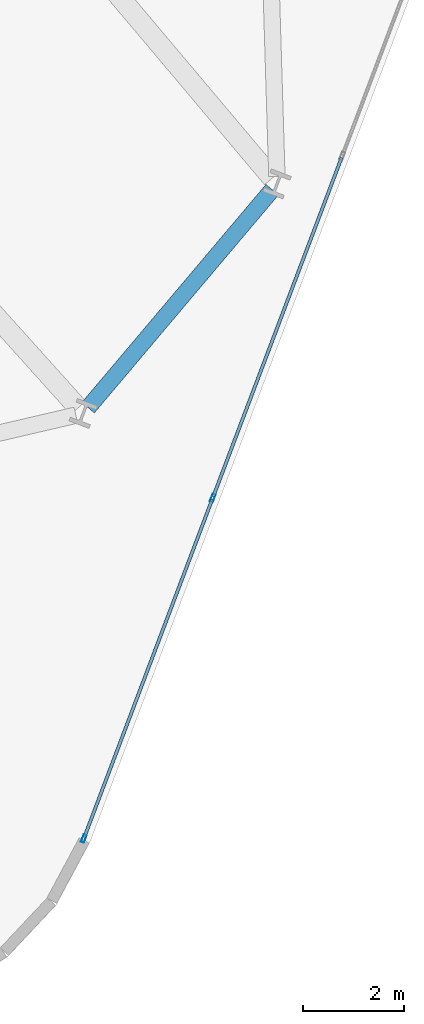
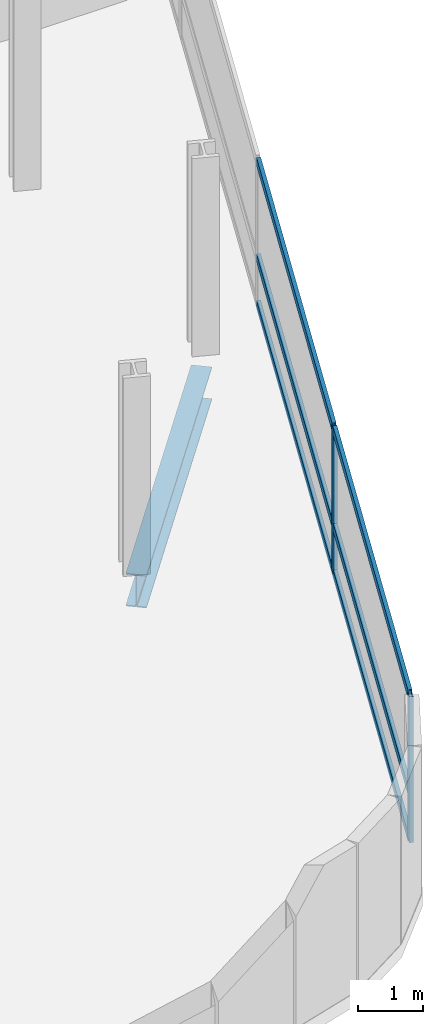
# One storey, part 10 of 24: 8 members, 1 beam, 1 element without a shape of its own.
"""IFC4 building model written with IfcOpenShell, lengths in metres."""

from ifc_helpers import new_model, si_unit, direction, frame, origin, origin_2d, place, context, subcontext, project, spatial, hollow_rectangle, i_section, extrude, material, layer, layer_set, material_profile, profile_set, type_object, element, aggregate, save


model = new_model("IFC4")

# Units and contexts
model_context = context("Model", 3, precision=1e-05, world=origin(), true_north=direction((0.0, 1.0)))
body_context = subcontext(model_context, "Body", "Model", "MODEL_VIEW")
ifc_project = project(units=[si_unit("LENGTHUNIT", "METRE"), si_unit("AREAUNIT", "SQUARE_METRE"), si_unit("VOLUMEUNIT", "CUBIC_METRE"), si_unit("PLANEANGLEUNIT", "RADIAN"), si_unit("MASSUNIT", "GRAM", prefix="KILO")], contexts=[model_context])

# Site, building, storey
site_placement = place(None, origin())
site = spatial("IfcSite", under=ifc_project, at=site_placement, CompositionType="ELEMENT")
building_placement = place(site_placement, origin())
building = spatial("IfcBuilding", under=site, at=building_placement, Name="Varnelok Gate Tower", CompositionType="ELEMENT")
storey_placement = place(building_placement, frame((0.0, 0.0, 98.39990234375)))
storey = spatial("IfcBuildingStorey", under=building, at=storey_placement, Name="L24", CompositionType="ELEMENT", Elevation=98.39990234375)

# Beam
ifc_material_1 = material(Name="Structural Steel ASTM A992 Grade 50", Category="steel")
ifc_material_profile_1 = material_profile(ifc_material_1, i_section(OverallWidth=0.323974609375, OverallDepth=0.611083984375, WebThickness=0.0126953125, FlangeThickness=0.01904296875, FilletRadius=0.01806640625, at=origin_2d()), Name="W24X104")
ifc_profile_set_1 = profile_set([ifc_material_profile_1], Name="Structural Steel ASTM A992 Grade 50")
beam_type = type_object("IfcBeamType", Name="BM-SPN-W24X104", PredefinedType="SPANDREL", material=ifc_profile_set_1)
beam_placement = place(storey_placement, frame((67.7333984375, 3.7421875, -0.555419921875), z_axis=(0.645380340265, 0.763861385592, 0.0), x_axis=(-0.763861385592, 0.645380340265, 0.0)))
element("IfcBeam", 1, at=beam_placement, inside=storey, type_object=beam_type, Name="L24 Perimeter Spandrel Beam 6", PredefinedType="SPANDREL", context=body_context, shape_type="SweptSolid", body=[
    extrude(i_section(OverallWidth=0.323974609375, OverallDepth=0.611083984375, WebThickness=0.0126953125, FlangeThickness=0.01904296875, FilletRadius=0.01806640625, at=origin_2d()), origin(), (0.0, 0.0, 1.0), 5.650146484375),
])

# Curtain wall, members
ifc_material_2 = material(Name="Anodized Aluminum Alloy 6063-T6", Category="aluminium")
ifc_layer = layer(ifc_material_2, 0.179931640625)
ifc_layer_set = layer_set([ifc_layer], Name="Anodized Aluminum Alloy 6063-T6")
curtain_wall_type = type_object("IfcCurtainWallType", Name="CW3-HOTEL-VISION", PredefinedType="USERDEFINED", material=ifc_layer_set)
curtain_wall_placement = place(storey_placement, origin())
curtain_wall = element("IfcCurtainWall", 2, at=curtain_wall_placement, inside=storey, type_object=curtain_wall_type, Name="L24 East End Vision Curtain Wall", ObjectType="UNITISED CURTAIN WALL", PredefinedType="USERDEFINED")
ifc_material_profile_2 = material_profile(ifc_material_2, hollow_rectangle(XDim=0.06494140625, YDim=0.159912109375, WallThickness=0.00390625, at=origin_2d()), Name="ALU160X65X4")
ifc_profile_set_2 = profile_set([ifc_material_profile_2], Name="Anodized Aluminum Alloy 6063-T6")
member_type_1 = type_object("IfcMemberType", Name="CW-MULL-160", PredefinedType="MULLION", material=ifc_profile_set_2)
member_1_placement = place(storey_placement, frame((70.201171875, 1.951171875, 0.0), z_axis=(0.0, 0.0, 1.0), x_axis=(0.935221323688, -0.354063660545, 0.0)))
member_1 = element("IfcMember", 3, at=member_1_placement, type_object=member_type_1, Name="CW3 mullion 5", PredefinedType="MULLION", context=body_context, shape_type="SweptSolid", body=[
    extrude(hollow_rectangle(XDim=0.06494140625, YDim=0.159912109375, WallThickness=0.00390625, at=origin_2d()), origin(), (0.0, 0.0, 1.0), 2.72998046875),
])
member_2_placement = place(storey_placement, frame((67.6494140625, -4.78955078125, 0.0), z_axis=(0.0, 0.0, 1.0), x_axis=(0.935221323688, -0.354063660545, 0.0)))
member_2 = element("IfcMember", 4, at=member_2_placement, type_object=member_type_1, Name="CW3 mullion 6", PredefinedType="MULLION", context=body_context, shape_type="SweptSolid", body=[
    extrude(hollow_rectangle(XDim=0.06494140625, YDim=0.159912109375, WallThickness=0.00390625, at=origin_2d()), origin(), (0.0, 0.0, 1.0), 2.72998046875),
])
ifc_material_profile_3 = material_profile(ifc_material_2, hollow_rectangle(XDim=0.06494140625, YDim=0.159912109375, WallThickness=0.00390625, at=origin_2d()), Name="ALU160X65X4")
ifc_profile_set_3 = profile_set([ifc_material_profile_3], Name="Anodized Aluminum Alloy 6063-T6")
member_type_2 = type_object("IfcMemberType", Name="CW-TRAN-160", PredefinedType="USERDEFINED", material=ifc_profile_set_3)
member_3_placement = place(storey_placement, frame((72.753173828125, 8.691650390625, 0.03271484375), z_axis=(-0.354078724634, -0.935215620465, 0.0), x_axis=(0.935215620465, -0.354078724634, 0.0)))
member_3 = element("IfcMember", 5, at=member_3_placement, type_object=member_type_2, Name="CW3 transom 4.1", ObjectType="TRANSOM", PredefinedType="USERDEFINED", context=body_context, shape_type="SweptSolid", body=[
    extrude(hollow_rectangle(XDim=0.06494140625, YDim=0.159912109375, WallThickness=0.00390625, at=origin_2d()), origin(), (0.0, 0.0, 1.0), 7.175048828125),
])
member_4_placement = place(storey_placement, frame((72.753173828125, 8.691650390625, 0.900146484375), z_axis=(-0.354078724634, -0.935215620465, 0.0), x_axis=(0.935215620465, -0.354078724634, 0.0)))
member_4 = element("IfcMember", 6, at=member_4_placement, type_object=member_type_2, Name="CW3 transom 4.2", ObjectType="TRANSOM", PredefinedType="USERDEFINED", context=body_context, shape_type="SweptSolid", body=[
    extrude(hollow_rectangle(XDim=0.06494140625, YDim=0.159912109375, WallThickness=0.00390625, at=origin_2d()), origin(), (0.0, 0.0, 1.0), 7.175048828125),
])
member_5_placement = place(storey_placement, frame((72.753173828125, 8.691650390625, 2.697509765625), z_axis=(-0.354078724634, -0.935215620465, 0.0), x_axis=(0.935215620465, -0.354078724634, 0.0)))
member_5 = element("IfcMember", 7, at=member_5_placement, type_object=member_type_2, Name="CW3 transom 4.3", ObjectType="TRANSOM", PredefinedType="USERDEFINED", context=body_context, shape_type="SweptSolid", body=[
    extrude(hollow_rectangle(XDim=0.06494140625, YDim=0.159912109375, WallThickness=0.00390625, at=origin_2d()), origin(), (0.0, 0.0, 1.0), 7.175048828125),
])
member_6_placement = place(storey_placement, frame((70.189697265625, 1.920654296875, 0.03271484375), z_axis=(-0.354058568643, -0.935223251406, 0.0), x_axis=(0.935223251406, -0.354058568643, 0.0)))
member_6 = element("IfcMember", 8, at=member_6_placement, type_object=member_type_2, Name="CW3 transom 5.1", ObjectType="TRANSOM", PredefinedType="USERDEFINED", context=body_context, shape_type="SweptSolid", body=[
    extrude(hollow_rectangle(XDim=0.06494140625, YDim=0.159912109375, WallThickness=0.00390625, at=origin_2d()), origin(), (0.0, 0.0, 1.0), 7.142333984375),
])
member_7_placement = place(storey_placement, frame((70.189697265625, 1.920654296875, 0.900146484375), z_axis=(-0.354058568643, -0.935223251406, 0.0), x_axis=(0.935223251406, -0.354058568643, 0.0)))
member_7 = element("IfcMember", 9, at=member_7_placement, type_object=member_type_2, Name="CW3 transom 5.2", ObjectType="TRANSOM", PredefinedType="USERDEFINED", context=body_context, shape_type="SweptSolid", body=[
    extrude(hollow_rectangle(XDim=0.06494140625, YDim=0.159912109375, WallThickness=0.00390625, at=origin_2d()), origin(), (0.0, 0.0, 1.0), 7.142333984375),
])
member_8_placement = place(storey_placement, frame((70.189697265625, 1.920654296875, 2.697509765625), z_axis=(-0.354058568643, -0.935223251406, 0.0), x_axis=(0.935223251406, -0.354058568643, 0.0)))
member_8 = element("IfcMember", 10, at=member_8_placement, type_object=member_type_2, Name="CW3 transom 5.3", ObjectType="TRANSOM", PredefinedType="USERDEFINED", context=body_context, shape_type="SweptSolid", body=[
    extrude(hollow_rectangle(XDim=0.06494140625, YDim=0.159912109375, WallThickness=0.00390625, at=origin_2d()), origin(), (0.0, 0.0, 1.0), 7.142333984375),
])
aggregate(curtain_wall, [member_1, member_2, member_3, member_4, member_5, member_6, member_7, member_8])

save(model, "model.ifc")
